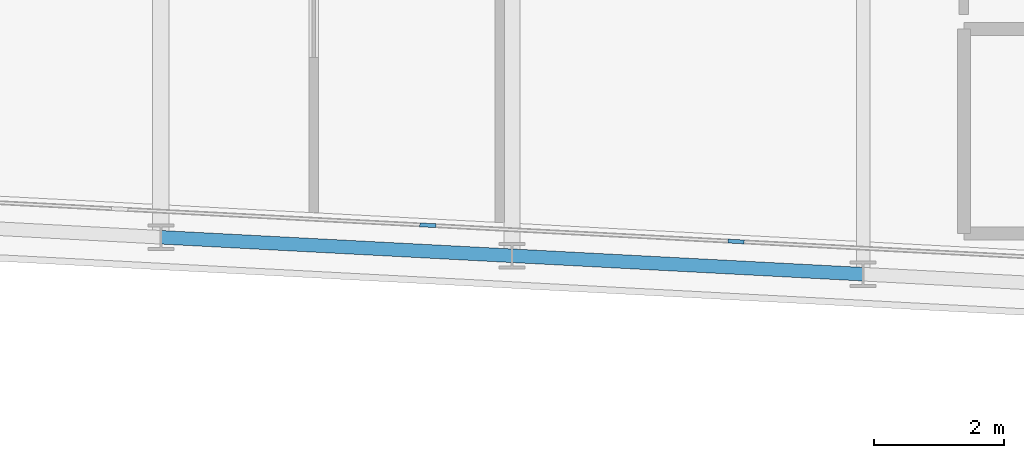
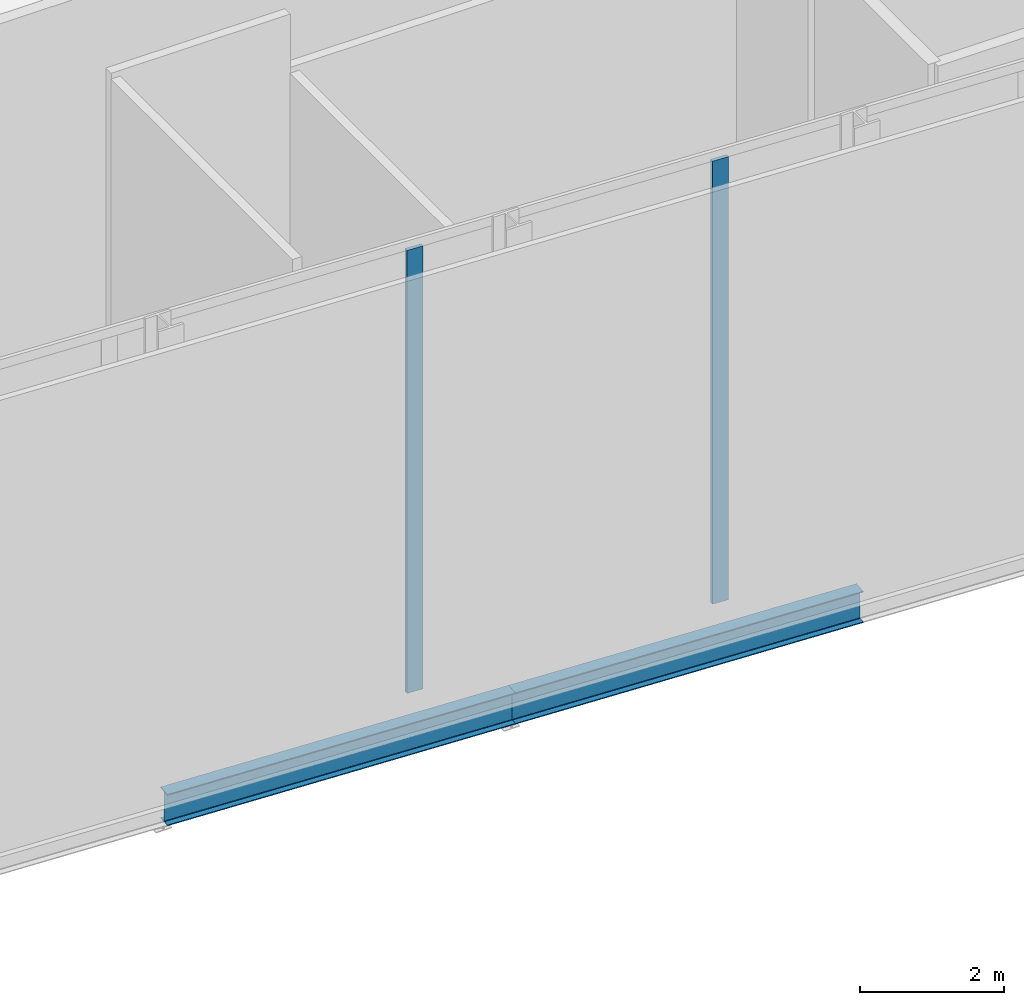
# One storey, part 7 of 38: 2 beams, 2 members, 1 element without a shape of its own.
"""IFC4 building model written with IfcOpenShell, lengths in metres."""

from ifc_helpers import new_model, si_unit, direction, frame, origin, origin_2d, place, context, subcontext, project, spatial, rectangle, i_section, extrude, material, layer, layer_set, material_profile, profile_set, type_object, element, aggregate, save


model = new_model("IFC4")

# Units and contexts
model_context = context("Model", 3, precision=1e-05, world=origin(), true_north=direction((0.0, 1.0)))
body_context = subcontext(model_context, "Body", "Model", "MODEL_VIEW")
ifc_project = project(units=[si_unit("LENGTHUNIT", "METRE"), si_unit("AREAUNIT", "SQUARE_METRE"), si_unit("VOLUMEUNIT", "CUBIC_METRE"), si_unit("PLANEANGLEUNIT", "RADIAN"), si_unit("MASSUNIT", "GRAM", prefix="KILO")], contexts=[model_context])

# Site, building, storey
site_placement = place(None, origin())
site = spatial("IfcSite", under=ifc_project, at=site_placement, CompositionType="ELEMENT")
building_placement = place(site_placement, origin())
building = spatial("IfcBuilding", under=site, at=building_placement, Name="Kheshtan School and Residences Tower", CompositionType="ELEMENT")
storey_placement = place(building_placement, frame((0.0, 0.0, 203.300048828125)))
storey = spatial("IfcBuildingStorey", under=building, at=storey_placement, Name="L48", CompositionType="ELEMENT", Elevation=203.300048828125)

# Beams
ifc_material_1 = material(Name="Steel ASTM A992 Grade 50", Category="steel")
ifc_material_profile_1 = material_profile(ifc_material_1, i_section(OverallWidth=0.208984375, OverallDepth=0.532958984375, WebThickness=0.01025390625, FlangeThickness=0.015625, FilletRadius=0.013916015625, at=origin_2d()), Name="W530x92")
ifc_profile_set_1 = profile_set([ifc_material_profile_1], Name="Steel ASTM A992 Grade 50")
beam_type = type_object("IfcBeamType", Name="Beam SP3 W530x92 ASTM A992 Grade 50", PredefinedType="BEAM", material=ifc_profile_set_1)
beam_1_placement = place(storey_placement, frame((69.199951171875, 22.126953125, -0.41650390625), z_axis=(-0.998620447272, 0.05250906864, 0.0), x_axis=(-0.05250906864, -0.998620447272, 0.0)))
element("IfcBeam", 1, at=beam_1_placement, inside=storey, type_object=beam_type, Name="Spandrel beam C014-C016", PredefinedType="BEAM", context=body_context, shape_type="SweptSolid", body=[
    extrude(i_section(OverallWidth=0.208984375, OverallDepth=0.532958984375, WebThickness=0.01025390625, FlangeThickness=0.015625, FilletRadius=0.013916015625, at=origin_2d()), origin(), (0.0, 0.0, 1.0), 5.407470703125),
])
beam_2_placement = place(storey_placement, frame((63.800048828125, 22.410888671875, -0.41650390625), z_axis=(-0.998618203458, 0.052551724256, 0.0), x_axis=(-0.052551724256, -0.998618203458, 0.0)))
element("IfcBeam", 2, at=beam_2_placement, inside=storey, type_object=beam_type, Name="Spandrel beam C016-C018", PredefinedType="BEAM", context=body_context, shape_type="SweptSolid", body=[
    extrude(i_section(OverallWidth=0.208984375, OverallDepth=0.532958984375, WebThickness=0.01025390625, FlangeThickness=0.015625, FilletRadius=0.013916015625, at=origin_2d()), origin(), (0.0, 0.0, 1.0), 5.40771484375),
])

# Curtain wall, members
ifc_material_2 = material(Name="Clear low-e glass in thermally broken aluminium frame", Category="aluminium")
ifc_layer = layer(ifc_material_2, 0.25)
ifc_layer_set = layer_set([ifc_layer], Name="Curtain wall CW-K")
curtain_wall_type = type_object("IfcCurtainWallType", Name="Curtain wall CW-K", PredefinedType="NOTDEFINED", material=ifc_layer_set)
curtain_wall_placement = place(storey_placement, origin())
curtain_wall = element("IfcCurtainWall", 3, at=curtain_wall_placement, inside=storey, type_object=curtain_wall_type, Name="Curtain wall CWK14", PredefinedType="NOTDEFINED")
ifc_material_3 = material(Name="Thermally broken aluminium, dark bronze anodised", Category="aluminium")
ifc_material_profile_2 = material_profile(ifc_material_3, rectangle(XDim=0.06005859375, YDim=0.25, at=origin_2d()), Name="CW-K mullion 60x250")
ifc_profile_set_2 = profile_set([ifc_material_profile_2], Name="Thermally broken aluminium, dark bronze anodised")
member_type = type_object("IfcMemberType", Name="CW-K mullion 60x250", PredefinedType="MULLION", material=ifc_profile_set_2)
member_1_placement = place(storey_placement, frame((67.246826171875, 22.630126953125, 0.0), z_axis=(0.0, 0.0, 1.0), x_axis=(-0.052569888839, -0.998617247391, 0.0)))
member_1 = element("IfcMember", 4, at=member_1_placement, type_object=member_type, Name="CWK14 mullion 8", PredefinedType="MULLION", context=body_context, shape_type="SweptSolid", body=[
    extrude(rectangle(XDim=0.06005859375, YDim=0.25, at=origin_2d()), origin(), (0.0, 0.0, 1.0), 7.489990234375),
])
member_2_placement = place(storey_placement, frame((62.505859375, 22.879638671875, 0.0), z_axis=(0.0, 0.0, 1.0), x_axis=(-0.052569888839, -0.998617247391, 0.0)))
member_2 = element("IfcMember", 5, at=member_2_placement, type_object=member_type, Name="CWK14 mullion 9", PredefinedType="MULLION", context=body_context, shape_type="SweptSolid", body=[
    extrude(rectangle(XDim=0.06005859375, YDim=0.25, at=origin_2d()), origin(), (0.0, 0.0, 1.0), 7.489990234375),
])
aggregate(curtain_wall, [member_1, member_2])

save(model, "model.ifc")
